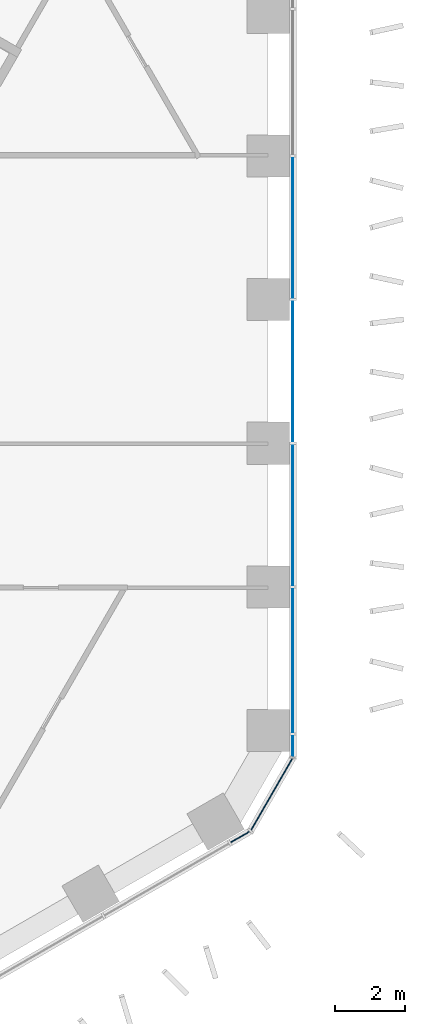
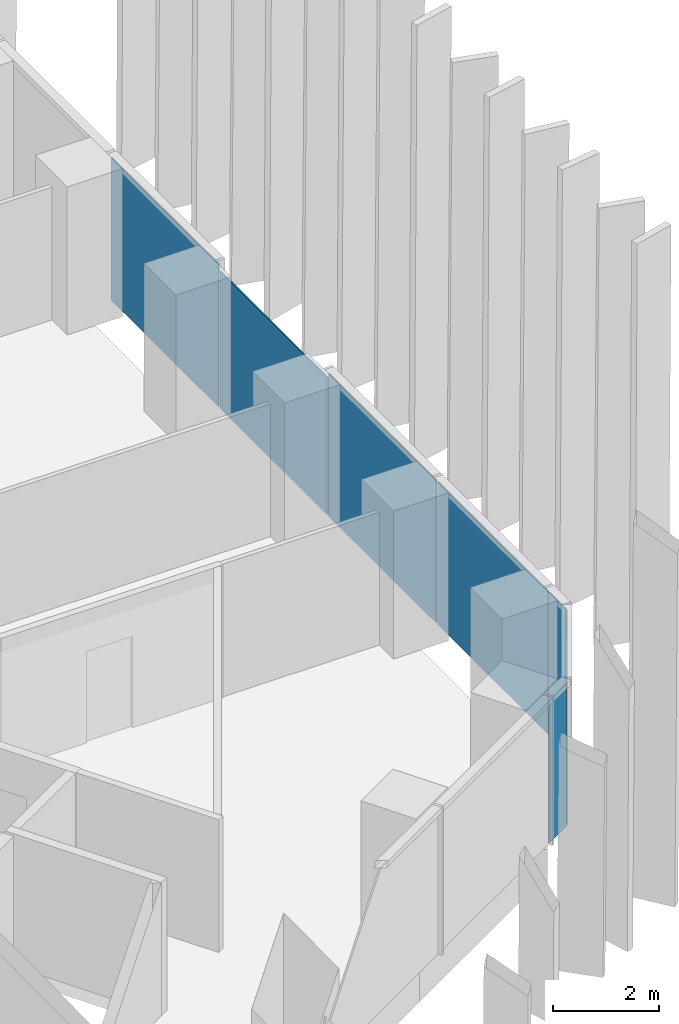
# One storey, part 10 of 18: 7 plates, 2 elements without a shape of their own.
"""IFC4 building model written with IfcOpenShell, lengths in metres."""

import ifcopenshell
import ifcopenshell.guid

model = None  # the IFC model being written
_history = None  # IfcOwnerHistory: only IFC2X3 demands one
_inside = {}  # id of a spatial element -> (the spatial element, [elements in it])
_under = {}  # id of a project, library or spatial element -> (it, [spatial elements below it])
_declared = {}  # id of a project -> (the project, [libraries it declares])
_typed = {}  # id of a type object -> (the type object, [elements of that type])
_made_of = {}  # id of a material, layer set ... -> (it, [elements and type objects made of it])


def new_model(schema):
    """Start an empty IFC model of exactly this schema.

    Asked for "IFC4X3", IfcOpenShell would pick the latest addendum, in which some entities
    have other attributes; the version numbers below select the first issue.
    IFC2X3 requires an IfcOwnerHistory on every rooted entity: one is made here for all.
    """
    global model, _history
    if schema == "IFC4X3":
        model = ifcopenshell.file(schema_version=(4, 3, 0, 0))
    else:
        model = ifcopenshell.file(schema=schema)
    _inside.clear()
    _under.clear()
    _declared.clear()
    _typed.clear()
    _made_of.clear()
    _history = None
    if model.schema == "IFC2X3":
        org = make("IfcOrganization", Name="unknown")
        user = make(
            "IfcPersonAndOrganization",
            ThePerson=make("IfcPerson", FamilyName="unknown"),
            TheOrganization=org,
        )
        app = make(
            "IfcApplication",
            ApplicationDeveloper=org,
            Version="unknown",
            ApplicationFullName="unknown",
            ApplicationIdentifier="unknown",
        )
        _history = make(
            "IfcOwnerHistory",
            OwningUser=user,
            OwningApplication=app,
            ChangeAction="ADDED",
            CreationDate=0,
        )
    return model


def make(cls, **values):
    """One entity of the class cls with the attributes given. An attribute that is None is left unset."""
    return model.create_entity(
        cls, **{name: value for name, value in values.items() if value is not None}
    )


def rooted(cls, **values):
    """An entity with a GlobalId (a new one), such as an element, a storey or a relation."""
    return make(cls, GlobalId=ifcopenshell.guid.new(), OwnerHistory=_history, **values)


def si_unit(unit_type, name, prefix=None):
    """IfcSIUnit, for example si_unit("LENGTHUNIT", "METRE", prefix="MILLI")."""
    return make("IfcSIUnit", UnitType=unit_type, Prefix=prefix, Name=name)


def assignment(units):
    """IfcUnitAssignment: the units of a project."""
    return None if units is None else make("IfcUnitAssignment", Units=units)


def point(xyz):
    """IfcCartesianPoint."""
    return None if xyz is None else make("IfcCartesianPoint", Coordinates=xyz)


def direction(xyz):
    """IfcDirection."""
    return None if xyz is None else make("IfcDirection", DirectionRatios=xyz)


def frame(location, z_axis=None, x_axis=None):
    """IfcAxis2Placement3D, a coordinate frame: its origin and axes. An axis left out is left unset."""
    return make(
        "IfcAxis2Placement3D",
        Location=point(location),
        Axis=direction(z_axis),
        RefDirection=direction(x_axis),
    )


def frame_2d(location, x_axis=None):
    """IfcAxis2Placement2D, a coordinate frame in the plane: its origin and x axis."""
    return make(
        "IfcAxis2Placement2D", Location=point(location), RefDirection=direction(x_axis)
    )


def origin():
    """The frame at (0, 0, 0) with its axes left unset."""
    return frame((0.0, 0.0, 0.0))


def origin_2d():
    """The frame at (0, 0) in the plane with its x axis left unset."""
    return frame_2d((0.0, 0.0))


def place(relative_to, where):
    """IfcLocalPlacement: puts the frame where relative to a parent placement (None: the world)."""
    return make(
        "IfcLocalPlacement", PlacementRelTo=relative_to, RelativePlacement=where
    )


def context(
    kind, dimensions, precision=None, world=None, true_north=None, identifier=None
):
    """IfcGeometricRepresentationContext, for example the 3D "Model" context."""
    return make(
        "IfcGeometricRepresentationContext",
        ContextIdentifier=identifier,
        ContextType=kind,
        CoordinateSpaceDimension=dimensions,
        Precision=precision,
        WorldCoordinateSystem=world,
        TrueNorth=true_north,
    )


def subcontext(parent, identifier, kind, view, scale=None):
    """IfcGeometricRepresentationSubContext, for example "Body" below "Model"."""
    return make(
        "IfcGeometricRepresentationSubContext",
        ContextIdentifier=identifier,
        ContextType=kind,
        ParentContext=parent,
        TargetScale=scale,
        TargetView=view,
    )


def project(units=None, contexts=None):
    """IfcProject with its units and contexts."""
    return rooted(
        "IfcProject",
        Name="project",
        RepresentationContexts=contexts,
        UnitsInContext=assignment(units),
    )


def spatial(cls, under=None, at=None, **own):
    """A site, building, storey or space (cls), placed at a placement, below another one or the project."""
    s = rooted(cls, ObjectPlacement=at, **own)
    if under is not None:
        _under.setdefault(under.id(), (under, []))[1].append(s)
    return s


def profile(cls, at=None, kind="AREA", **sizes):
    """A parametric profile (cls). Its sizes go by their IFC names, for example OverallWidth=200.0."""
    return make(cls, ProfileType=kind, Position=at, **sizes)


def rectangle(**sizes):
    """IfcRectangleProfileDef."""
    return profile("IfcRectangleProfileDef", **sizes)


def extrude(swept, where, along, depth):
    """IfcExtrudedAreaSolid: the profile swept, set in the frame where, extruded along a direction by depth."""
    return make(
        "IfcExtrudedAreaSolid",
        SweptArea=swept,
        Position=where,
        ExtrudedDirection=direction(along),
        Depth=depth,
    )


def shape(context_of_items, identifier, shape_type, items):
    """IfcShapeRepresentation: the items that make up one representation, for example the "Body"."""
    return make(
        "IfcShapeRepresentation",
        ContextOfItems=context_of_items,
        RepresentationIdentifier=identifier,
        RepresentationType=shape_type,
        Items=items,
    )


def material(Name=None, Category=None):
    """IfcMaterial."""
    return make("IfcMaterial", Name=Name, Category=Category)


def layer(
    of_material, thickness, ventilated=None, Name=None, Category=None, Priority=None
):
    """IfcMaterialLayer: one layer of a wall or slab, of a material (None: an air gap)."""
    return make(
        "IfcMaterialLayer",
        Material=of_material,
        LayerThickness=thickness,
        IsVentilated=ventilated,
        Name=Name,
        Category=Category,
        Priority=Priority,
    )


def layer_set(layers, Name=None):
    """IfcMaterialLayerSet."""
    return make("IfcMaterialLayerSet", MaterialLayers=layers, LayerSetName=Name)


def made_of(thing, what):
    """Note that an element or type object is made of a material, layer set ...; save() writes the relation."""
    if what is not None:
        _made_of.setdefault(what.id(), (what, []))[1].append(thing)
    return thing


def type_object(cls, material=None, **own):
    """A type object (cls), such as IfcWallType, which elements share."""
    return made_of(rooted(cls, **own), material)


def element(
    cls,
    number,
    at=None,
    inside=None,
    cuts=None,
    type_object=None,
    material=None,
    context=None,
    identifier="Body",
    shape_type=None,
    held_by="IfcProductDefinitionShape",
    body=None,
    shapes=None,
    **own,
):
    """One element of the class cls, such as IfcWall. Its Tag is "e" and its number.

    at: its placement. inside: the storey or other place that contains it. cuts: it is an
    opening in that element (IfcRelVoidsElement). A single representation is given by context,
    identifier, shape_type and body (its items); several are given by shapes. held_by: the class
    of the entity that holds the representations. save() writes the other relations.
    """
    e = rooted(cls, Tag="e%d" % number, ObjectPlacement=at, **own)
    if body is not None:
        shapes = [shape(context, identifier, shape_type, body)]
    if shapes is not None:
        e.Representation = make(held_by, Representations=shapes)
    if inside is not None:
        _inside.setdefault(inside.id(), (inside, []))[1].append(e)
    if cuts is not None:
        rooted(
            "IfcRelVoidsElement", RelatingBuildingElement=cuts, RelatedOpeningElement=e
        )
    if type_object is not None:
        _typed.setdefault(type_object.id(), (type_object, []))[1].append(e)
    return made_of(e, material)


def aggregate(whole, parts):
    """IfcRelAggregates: a whole, such as a stair, and the parts it consists of."""
    return rooted("IfcRelAggregates", RelatingObject=whole, RelatedObjects=parts)


def save(model, path):
    """Write the relations noted so far, then the file.

    IfcRelAggregates (storeys below a building ...), IfcRelContainedInSpatialStructure (elements
    in a storey), IfcRelDefinesByType, IfcRelAssociatesMaterial and IfcRelDeclares: one each for
    every whole, place, type object, material and project.
    """
    for whole, parts in _under.values():
        aggregate(whole, parts)
    for where, things in _inside.values():
        rooted(
            "IfcRelContainedInSpatialStructure",
            RelatedElements=things,
            RelatingStructure=where,
        )
    for kind, things in _typed.values():
        rooted("IfcRelDefinesByType", RelatedObjects=things, RelatingType=kind)
    for what, things in _made_of.values():
        rooted("IfcRelAssociatesMaterial", RelatedObjects=things, RelatingMaterial=what)
    for by, libraries in _declared.values():
        rooted("IfcRelDeclares", RelatingContext=by, RelatedDefinitions=libraries)
    model.write(path)


model = new_model("IFC4")

# Units and contexts
model_context = context("Model", 3, precision=1e-05, world=origin(), true_north=direction((0.0, 1.0)))
body_context = subcontext(model_context, "Body", "Model", "MODEL_VIEW")
ifc_project = project(units=[si_unit("LENGTHUNIT", "METRE"), si_unit("AREAUNIT", "SQUARE_METRE"), si_unit("VOLUMEUNIT", "CUBIC_METRE"), si_unit("PLANEANGLEUNIT", "RADIAN"), si_unit("MASSUNIT", "GRAM", prefix="KILO")], contexts=[model_context])

# Site, building, storey
site_placement = place(None, origin())
site = spatial("IfcSite", under=ifc_project, at=site_placement, CompositionType="ELEMENT")
building_placement = place(site_placement, origin())
building = spatial("IfcBuilding", under=site, at=building_placement, Name="Ayvan Gate Tower", CompositionType="ELEMENT")
storey_placement = place(building_placement, frame((0.0, 0.0, 25.5)))
storey = spatial("IfcBuildingStorey", under=building, at=storey_placement, Name="L05", CompositionType="ELEMENT", Elevation=25.5)

# Curtain wall, plates
ifc_material_1 = material(Name="Bronze anodised aluminium", Category="aluminium")
ifc_layer_1 = layer(ifc_material_1, 0.199951171875)
ifc_layer_set_1 = layer_set([ifc_layer_1], Name="Bronze anodised aluminium")
curtain_wall_type_1 = type_object("IfcCurtainWallType", Name="Stick curtain wall CW-1", PredefinedType="NOTDEFINED", material=ifc_layer_set_1)
curtain_wall_1_placement = place(storey_placement, origin())
curtain_wall_1 = element("IfcCurtainWall", 1, at=curtain_wall_1_placement, inside=storey, type_object=curtain_wall_type_1, Name="Stick curtain wall CW-1 L05", PredefinedType="NOTDEFINED")
ifc_material_2 = material(Name="Clear low-iron laminated glass", Category="glass")
ifc_layer_2 = layer(ifc_material_2, 0.028076171875)
ifc_layer_set_2 = layer_set([ifc_layer_2], Name="Clear low-iron laminated glass")
plate_type_1 = type_object("IfcPlateType", Name="Stick curtain wall CW-1 glass panel", PredefinedType="CURTAIN_PANEL", material=ifc_layer_set_2)
plate_1_placement = place(storey_placement, frame((21.484619140625, -8.25, 0.0), z_axis=(0.0, 0.0, 1.0), x_axis=(0.0, 1.0, 0.0)))
plate_1 = element("IfcPlate", 2, at=plate_1_placement, type_object=plate_type_1, Name="CW-1 glass panel 1", PredefinedType="CURTAIN_PANEL", context=body_context, shape_type="SweptSolid", body=[
    extrude(rectangle(XDim=4.159912109375, YDim=0.028076171875, at=origin_2d()), origin(), (0.0, 0.0, 1.0), 3.280029296875),
])
plate_2_placement = place(storey_placement, frame((21.484619140625, -4.093505859375, 0.0), z_axis=(0.0, 0.0, 1.0), x_axis=(0.0, 1.0, 0.0)))
plate_2 = element("IfcPlate", 3, at=plate_2_placement, type_object=plate_type_1, Name="CW-1 glass panel 2", PredefinedType="CURTAIN_PANEL", context=body_context, shape_type="SweptSolid", body=[
    extrude(rectangle(XDim=4.032958984375, YDim=0.028076171875, at=origin_2d()), origin(), (0.0, 0.0, 1.0), 3.280029296875),
])
plate_3_placement = place(storey_placement, frame((21.484619140625, 0.0, 0.0), z_axis=(0.0, 0.0, 1.0), x_axis=(0.0, 1.0, 0.0)))
plate_3 = element("IfcPlate", 4, at=plate_3_placement, type_object=plate_type_1, Name="CW-1 glass panel 3", PredefinedType="CURTAIN_PANEL", context=body_context, shape_type="SweptSolid", body=[
    extrude(rectangle(XDim=4.033935546875, YDim=0.028076171875, at=origin_2d()), origin(), (0.0, 0.0, 1.0), 3.14990234375),
])
plate_4_placement = place(storey_placement, frame((21.484619140625, 4.093505859375, 0.0), z_axis=(0.0, 0.0, 1.0), x_axis=(0.0, 1.0, 0.0)))
plate_4 = element("IfcPlate", 5, at=plate_4_placement, type_object=plate_type_1, Name="CW-1 glass panel 4", PredefinedType="CURTAIN_PANEL", context=body_context, shape_type="SweptSolid", body=[
    extrude(rectangle(XDim=4.032958984375, YDim=0.028076171875, at=origin_2d()), origin(), (0.0, 0.0, 1.0), 3.280029296875),
])
aggregate(curtain_wall_1, [plate_1, plate_2, plate_3, plate_4])

ifc_layer_3 = layer(ifc_material_1, 0.199951171875)
ifc_layer_set_3 = layer_set([ifc_layer_3], Name="Bronze anodised aluminium")
curtain_wall_type_2 = type_object("IfcCurtainWallType", Name="Stick curtain wall CW-6", PredefinedType="NOTDEFINED", material=ifc_layer_set_3)
curtain_wall_2_placement = place(storey_placement, origin())
curtain_wall_2 = element("IfcCurtainWall", 6, at=curtain_wall_2_placement, inside=storey, type_object=curtain_wall_type_2, Name="Stick curtain wall CW-6 L05", PredefinedType="NOTDEFINED")
ifc_layer_4 = layer(ifc_material_2, 0.028076171875)
ifc_layer_set_4 = layer_set([ifc_layer_4], Name="Clear low-iron laminated glass")
plate_type_2 = type_object("IfcPlateType", Name="Stick curtain wall CW-6 glass panel", PredefinedType="CURTAIN_PANEL", material=ifc_layer_set_4)
plate_5_placement = place(storey_placement, frame((19.985107421875, -13.27001953125, 0.0), z_axis=(0.0, 0.0, 1.0), x_axis=(0.866025403784, 0.5, 0.0)))
plate_5 = element("IfcPlate", 7, at=plate_5_placement, type_object=plate_type_2, Name="CW-6 glass panel 1", PredefinedType="CURTAIN_PANEL", context=body_context, shape_type="SweptSolid", body=[
    extrude(rectangle(XDim=0.625, YDim=0.028076171875, at=origin_2d()), origin(), (0.0, 0.0, 1.0), 3.280029296875),
])
plate_6_placement = place(storey_placement, frame((20.880859375, -12.0556640625, 0.0), z_axis=(0.0, 0.0, 1.0), x_axis=(0.5, 0.866025403784, 0.0)))
plate_6 = element("IfcPlate", 8, at=plate_6_placement, type_object=plate_type_2, Name="CW-6 glass panel 2", PredefinedType="CURTAIN_PANEL", context=body_context, shape_type="SweptSolid", body=[
    extrude(rectangle(XDim=2.364501953125, YDim=0.028076171875, at=origin_2d()), origin(), (0.0, 0.0, 1.0), 3.280029296875),
])
plate_7_placement = place(storey_placement, frame((21.484619140625, -10.672607421875, 0.0), z_axis=(0.0, 0.0, 1.0), x_axis=(0.0, 1.0, 0.0)))
plate_7 = element("IfcPlate", 9, at=plate_7_placement, type_object=plate_type_2, Name="CW-6 glass panel 3", PredefinedType="CURTAIN_PANEL", context=body_context, shape_type="SweptSolid", body=[
    extrude(rectangle(XDim=0.625, YDim=0.028076171875, at=origin_2d()), origin(), (0.0, 0.0, 1.0), 3.280029296875),
])
aggregate(curtain_wall_2, [plate_5, plate_6, plate_7])

save(model, "model.ifc")
